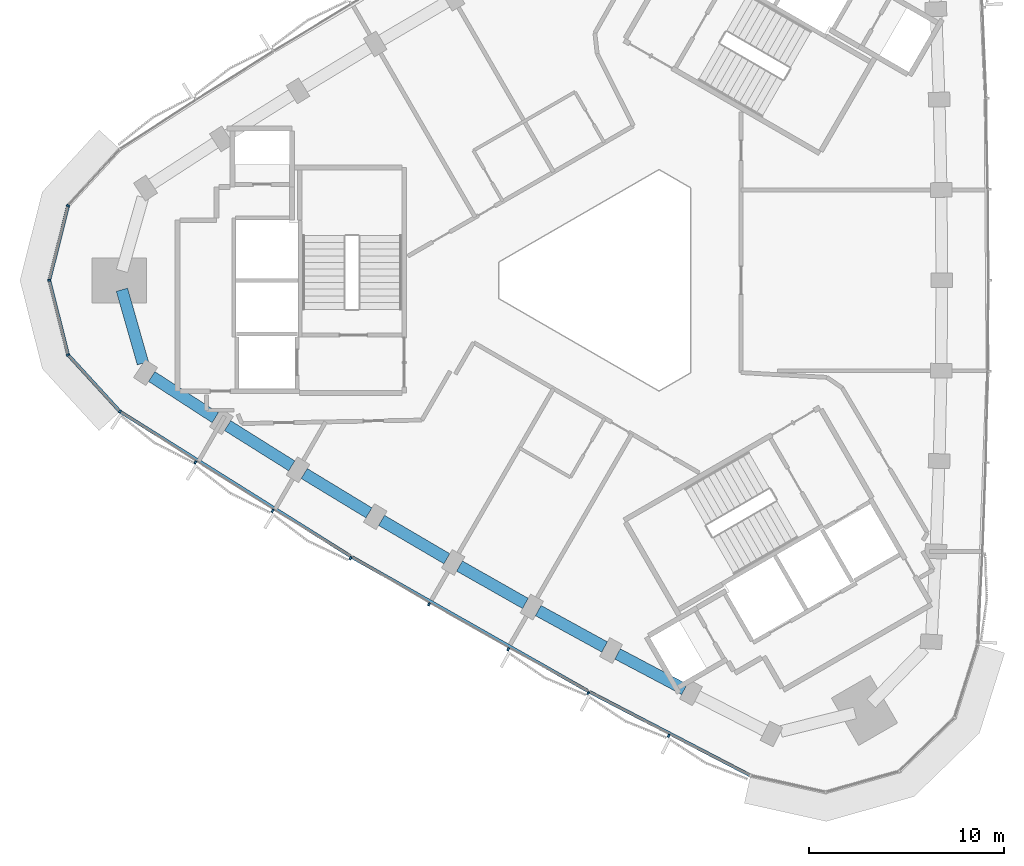
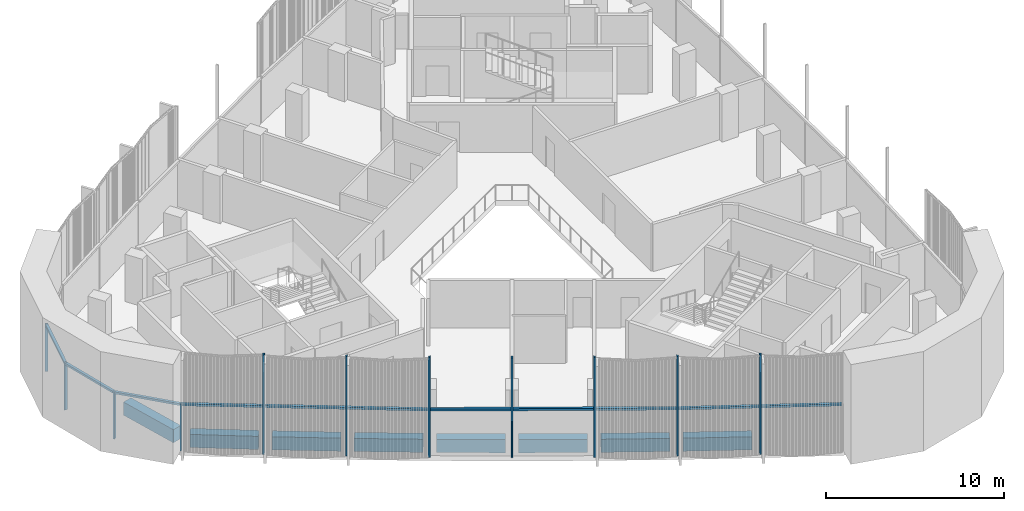
# One storey, part 2 of 16: 17 members, 8 beams, 2 elements without a shape of their own.
"""IFC4 building model written with IfcOpenShell, lengths in metres."""

from ifc_helpers import new_model, si_unit, direction, frame, origin, origin_2d, place, context, subcontext, project, spatial, rectangle, extrude, material, material_profile, profile_set, type_object, element, aggregate, save


model = new_model("IFC4")

# Units and contexts
model_context = context("Model", 3, precision=1e-05, world=origin(), true_north=direction((0.0, 1.0)))
body_context = subcontext(model_context, "Body", "Model", "MODEL_VIEW")
ifc_project = project(units=[si_unit("LENGTHUNIT", "METRE"), si_unit("AREAUNIT", "SQUARE_METRE"), si_unit("VOLUMEUNIT", "CUBIC_METRE"), si_unit("PLANEANGLEUNIT", "RADIAN"), si_unit("MASSUNIT", "GRAM", prefix="KILO")], contexts=[model_context])

# Site, building, storey
site_placement = place(None, origin())
site = spatial("IfcSite", under=ifc_project, at=site_placement, CompositionType="ELEMENT")
building_placement = place(site_placement, origin())
building = spatial("IfcBuilding", under=site, at=building_placement, Name="Tamra Quay Hotel Tower", CompositionType="ELEMENT")
storey_placement = place(building_placement, frame((0.0, 0.0, 243.0)))
storey = spatial("IfcBuildingStorey", under=building, at=storey_placement, Name="L61", CompositionType="ELEMENT", Elevation=243.0)

# Curtain wall, members
ifc_material_1 = material(Name="Aluminium 6063 anodised dark grey", Category="aluminium")
curtain_wall_type_1 = type_object("IfcCurtainWallType", Name="CW2 CURTAIN WALL", PredefinedType="NOTDEFINED", material=ifc_material_1)
curtain_wall_1_placement = place(storey_placement, origin())
curtain_wall_1 = element("IfcCurtainWall", 1, at=curtain_wall_1_placement, inside=storey, type_object=curtain_wall_type_1, Name="CW2 north-west face L61", PredefinedType="NOTDEFINED")
ifc_material_profile_1 = material_profile(ifc_material_1, rectangle(XDim=0.169921875, YDim=0.10009765625, at=origin_2d()), Name="MULLION 100X170")
ifc_profile_set_1 = profile_set([ifc_material_profile_1], Name="Aluminium 6063 anodised dark grey")
member_type_1 = type_object("IfcMemberType", Name="MULLION CW2 Z5", PredefinedType="MULLION", material=ifc_profile_set_1)
member_1_placement = place(storey_placement, frame((-28.0439453125, 3.812744140625, 0.0), z_axis=(0.0, 0.0, 1.0), x_axis=(-0.880266804781, 0.474479032624, 0.0)))
member_1 = element("IfcMember", 2, at=member_1_placement, type_object=member_type_1, Name="CW2 mullion L61.NW.10", PredefinedType="MULLION", context=body_context, shape_type="SweptSolid", body=[
    extrude(rectangle(XDim=0.169921875, YDim=0.10009765625, at=origin_2d()), origin(), (0.0, 0.0, 1.0), 3.25),
])
member_2_placement = place(storey_placement, frame((-29.006103515625, 0.0, 0.0), z_axis=(0.0, 0.0, 1.0), x_axis=(-1.0, 0.0, 0.0)))
member_2 = element("IfcMember", 3, at=member_2_placement, type_object=member_type_1, Name="CW2 mullion L61.NW.11", PredefinedType="MULLION", context=body_context, shape_type="SweptSolid", body=[
    extrude(rectangle(XDim=0.169921875, YDim=0.10009765625, at=origin_2d()), origin(), (0.0, 0.0, 1.0), 3.25),
])
member_3_placement = place(storey_placement, frame((-28.0439453125, -3.812744140625, 0.0), z_axis=(0.0, 0.0, 1.0), x_axis=(-0.880266804781, -0.474479032624, 0.0)))
member_3 = element("IfcMember", 4, at=member_3_placement, type_object=member_type_1, Name="CW2 mullion L61.NW.12", PredefinedType="MULLION", context=body_context, shape_type="SweptSolid", body=[
    extrude(rectangle(XDim=0.169921875, YDim=0.10009765625, at=origin_2d()), origin(), (0.0, 0.0, 1.0), 3.25),
])

curtain_wall_type_2 = type_object("IfcCurtainWallType", Name="CW3 CURTAIN WALL", PredefinedType="NOTDEFINED", material=ifc_material_1)
curtain_wall_2_placement = place(storey_placement, origin())
curtain_wall_2 = element("IfcCurtainWall", 5, at=curtain_wall_2_placement, inside=storey, type_object=curtain_wall_type_2, Name="CW3 south-west face L61", PredefinedType="NOTDEFINED")
ifc_material_profile_2 = material_profile(ifc_material_1, rectangle(XDim=0.169921875, YDim=0.10009765625, at=origin_2d()), Name="MULLION 100X170")
ifc_profile_set_2 = profile_set([ifc_material_profile_2], Name="Aluminium 6063 anodised dark grey")
member_type_2 = type_object("IfcMemberType", Name="MULLION CW3 Z5", PredefinedType="MULLION", material=ifc_profile_set_2)
member_4_placement = place(storey_placement, frame((-25.387939453125, -6.712646484375, 0.0), z_axis=(0.0, 0.0, 1.0), x_axis=(-0.64584626761, -0.763467483665, 0.0)))
member_4 = element("IfcMember", 6, at=member_4_placement, type_object=member_type_2, Name="CW3 mullion L61.SW.1", PredefinedType="MULLION", context=body_context, shape_type="SweptSolid", body=[
    extrude(rectangle(XDim=0.169921875, YDim=0.10009765625, at=origin_2d()), origin(), (0.0, 0.0, 1.0), 3.25),
])
member_5_placement = place(storey_placement, frame((-21.523193359375, -9.318603515625, 0.0), z_axis=(0.0, 0.0, 1.0), x_axis=(-0.537683846902, -0.84314653577, 0.0)))
member_5 = element("IfcMember", 7, at=member_5_placement, type_object=member_type_2, Name="CW3 mullion L61.SW.2", PredefinedType="MULLION", context=body_context, shape_type="SweptSolid", body=[
    extrude(rectangle(XDim=0.169921875, YDim=0.10009765625, at=origin_2d()), origin(), (0.0, 0.0, 1.0), 6.85009765625),
])
member_6_placement = place(storey_placement, frame((-17.573974609375, -11.79638671875, 0.0), z_axis=(0.0, 0.0, 1.0), x_axis=(-0.525248544196, -0.850948862635, 0.0)))
member_6 = element("IfcMember", 8, at=member_6_placement, type_object=member_type_2, Name="CW3 mullion L61.SW.3", PredefinedType="MULLION", context=body_context, shape_type="SweptSolid", body=[
    extrude(rectangle(XDim=0.169921875, YDim=0.10009765625, at=origin_2d()), origin(), (0.0, 0.0, 1.0), 6.85009765625),
])
member_7_placement = place(storey_placement, frame((-13.59033203125, -14.215087890625, 0.0), z_axis=(0.0, 0.0, 1.0), x_axis=(-0.512687551289, -0.858575258643, 0.0)))
member_7 = element("IfcMember", 9, at=member_7_placement, type_object=member_type_2, Name="CW3 mullion L61.SW.4", PredefinedType="MULLION", context=body_context, shape_type="SweptSolid", body=[
    extrude(rectangle(XDim=0.169921875, YDim=0.10009765625, at=origin_2d()), origin(), (0.0, 0.0, 1.0), 6.85009765625),
])
member_8_placement = place(storey_placement, frame((-9.570068359375, -16.575927734375, 0.0), z_axis=(0.0, 0.0, 1.0), x_axis=(-0.5, -0.866025403784, 0.0)))
member_8 = element("IfcMember", 10, at=member_8_placement, type_object=member_type_2, Name="CW3 mullion L61.SW.5", PredefinedType="MULLION", context=body_context, shape_type="SweptSolid", body=[
    extrude(rectangle(XDim=0.169921875, YDim=0.10009765625, at=origin_2d()), origin(), (0.0, 0.0, 1.0), 6.85009765625),
])
member_9_placement = place(storey_placement, frame((-5.515625, -18.877197265625, 0.0), z_axis=(0.0, 0.0, 1.0), x_axis=(-0.487204209401, -0.873288072942, 0.0)))
member_9 = element("IfcMember", 11, at=member_9_placement, type_object=member_type_2, Name="CW3 mullion L61.SW.6", PredefinedType="MULLION", context=body_context, shape_type="SweptSolid", body=[
    extrude(rectangle(XDim=0.169921875, YDim=0.10009765625, at=origin_2d()), origin(), (0.0, 0.0, 1.0), 6.85009765625),
])
member_10_placement = place(storey_placement, frame((-1.428955078125, -21.11767578125, 0.0), z_axis=(0.0, 0.0, 1.0), x_axis=(-0.474319060265, -0.880353013892, 0.0)))
member_10 = element("IfcMember", 12, at=member_10_placement, type_object=member_type_2, Name="CW3 mullion L61.SW.7", PredefinedType="MULLION", context=body_context, shape_type="SweptSolid", body=[
    extrude(rectangle(XDim=0.169921875, YDim=0.10009765625, at=origin_2d()), origin(), (0.0, 0.0, 1.0), 6.85009765625),
])
member_11_placement = place(storey_placement, frame((2.69140625, -23.298828125, 0.0), z_axis=(0.0, 0.0, 1.0), x_axis=(-0.461344395639, -0.887221138507, 0.0)))
member_11 = element("IfcMember", 13, at=member_11_placement, type_object=member_type_2, Name="CW3 mullion L61.SW.8", PredefinedType="MULLION", context=body_context, shape_type="SweptSolid", body=[
    extrude(rectangle(XDim=0.169921875, YDim=0.10009765625, at=origin_2d()), origin(), (0.0, 0.0, 1.0), 6.85009765625),
])

# Beams
ifc_material_2 = material(Name="Concrete M60", Category="concrete")
ifc_material_profile_3 = material_profile(ifc_material_2, rectangle(XDim=0.60009765625, YDim=0.89990234375, at=origin_2d()), Name="SPANDREL BEAM RC 600x900")
ifc_profile_set_3 = profile_set([ifc_material_profile_3], Name="Concrete M60")
beam_type = type_object("IfcBeamType", Name="SPANDREL BEAM RC 600x900", PredefinedType="SPANDREL", material=ifc_profile_set_3)
beam_1_placement = place(storey_placement, frame((-25.28369140625, -0.48046875, -0.800048828125), z_axis=(0.273913429616, -0.961754351732, 0.0), x_axis=(0.961754351732, 0.273913429616, 0.0)))
element("IfcBeam", 14, at=beam_1_placement, inside=storey, type_object=beam_type, Name="BM-SP5-019-L61", PredefinedType="SPANDREL", context=body_context, shape_type="SweptSolid", body=[
    extrude(rectangle(XDim=0.60009765625, YDim=0.89990234375, at=origin_2d()), origin(), (0.0, 0.0, 1.0), 3.912841796875),
])
beam_2_placement = place(storey_placement, frame((-23.76171875, -4.923583984375, -0.800048828125), z_axis=(0.839181205466, -0.543851914029, 0.0), x_axis=(0.543851914029, 0.839181205466, 0.0)))
element("IfcBeam", 15, at=beam_2_placement, inside=storey, type_object=beam_type, Name="BM-SP5-020-L61", PredefinedType="SPANDREL", context=body_context, shape_type="SweptSolid", body=[
    extrude(rectangle(XDim=0.60009765625, YDim=0.89990234375, at=origin_2d()), origin(), (0.0, 0.0, 1.0), 3.87548828125),
])
beam_3_placement = place(storey_placement, frame((-19.877197265625, -7.4345703125, -0.800048828125), z_axis=(0.847066119134, -0.53148752555, 0.0), x_axis=(0.53148752555, 0.847066119134, 0.0)))
element("IfcBeam", 16, at=beam_3_placement, inside=storey, type_object=beam_type, Name="BM-SP5-021-L61", PredefinedType="SPANDREL", context=body_context, shape_type="SweptSolid", body=[
    extrude(rectangle(XDim=0.60009765625, YDim=0.89990234375, at=origin_2d()), origin(), (0.0, 0.0, 1.0), 3.875),
])
beam_4_placement = place(storey_placement, frame((-15.95654296875, -9.887939453125, -0.800048828125), z_axis=(0.854785519234, -0.518981421737, 0.0), x_axis=(0.518981421737, 0.854785519234, 0.0)))
element("IfcBeam", 17, at=beam_4_placement, inside=storey, type_object=beam_type, Name="BM-SP5-022-L61", PredefinedType="SPANDREL", context=body_context, shape_type="SweptSolid", body=[
    extrude(rectangle(XDim=0.60009765625, YDim=0.89990234375, at=origin_2d()), origin(), (0.0, 0.0, 1.0), 3.875732421875),
])
beam_5_placement = place(storey_placement, frame((-11.999755859375, -12.283935546875, -0.800048828125), z_axis=(0.862324287816, -0.506356418585, 0.0), x_axis=(0.506356418585, 0.862324287816, 0.0)))
element("IfcBeam", 18, at=beam_5_placement, inside=storey, type_object=beam_type, Name="BM-SP5-023-L61", PredefinedType="SPANDREL", context=body_context, shape_type="SweptSolid", body=[
    extrude(rectangle(XDim=0.60009765625, YDim=0.89990234375, at=origin_2d()), origin(), (0.0, 0.0, 1.0), 3.875),
])
beam_6_placement = place(storey_placement, frame((-8.008544921875, -14.62109375, -0.800048828125), z_axis=(0.86967787455, -0.493619686113, 0.0), x_axis=(0.493619686113, 0.86967787455, 0.0)))
element("IfcBeam", 19, at=beam_6_placement, inside=storey, type_object=beam_type, Name="BM-SP5-024-L61", PredefinedType="SPANDREL", context=body_context, shape_type="SweptSolid", body=[
    extrude(rectangle(XDim=0.60009765625, YDim=0.89990234375, at=origin_2d()), origin(), (0.0, 0.0, 1.0), 3.875244140625),
])
beam_7_placement = place(storey_placement, frame((-3.9833984375, -16.8994140625, -0.800048828125), z_axis=(0.876838966376, -0.480784179279, 0.0), x_axis=(0.480784179279, 0.876838966376, 0.0)))
element("IfcBeam", 20, at=beam_7_placement, inside=storey, type_object=beam_type, Name="BM-SP5-025-L61", PredefinedType="SPANDREL", context=body_context, shape_type="SweptSolid", body=[
    extrude(rectangle(XDim=0.60009765625, YDim=0.89990234375, at=origin_2d()), origin(), (0.0, 0.0, 1.0), 3.87548828125),
])
beam_8_placement = place(storey_placement, frame((0.0751953125, -19.118408203125, -0.800048828125), z_axis=(0.883803240878, -0.467858772937, 0.0), x_axis=(0.467858772937, 0.883803240878, 0.0)))
element("IfcBeam", 21, at=beam_8_placement, inside=storey, type_object=beam_type, Name="BM-SP5-026-L61", PredefinedType="SPANDREL", context=body_context, shape_type="SweptSolid", body=[
    extrude(rectangle(XDim=0.60009765625, YDim=0.89990234375, at=origin_2d()), origin(), (0.0, 0.0, 1.0), 3.875),
])

# Member
ifc_material_profile_4 = material_profile(ifc_material_1, rectangle(XDim=0.169921875, YDim=0.139892578125, at=origin_2d()), Name="TRANSOM 170X140")
ifc_profile_set_4 = profile_set([ifc_material_profile_4], Name="Aluminium 6063 anodised dark grey")
member_type_3 = type_object("IfcMemberType", Name="TRANSOM CW2 Z5", PredefinedType="USERDEFINED", material=ifc_profile_set_4)
member_12_placement = place(storey_placement, frame((-28.05615234375, 3.764404296875, 3.179931640625), z_axis=(-0.244693523111, -0.969600474292, 0.0), x_axis=(0.969600474292, -0.244693523111, 0.0)))
member_12 = element("IfcMember", 22, at=member_12_placement, type_object=member_type_3, Name="CW2 transom L61.NW.10", ObjectType="TRANSOM", PredefinedType="USERDEFINED", context=body_context, shape_type="SweptSolid", body=[
    extrude(rectangle(XDim=0.169921875, YDim=0.139892578125, at=origin_2d()), origin(), (0.0, 0.0, 1.0), 3.832275390625),
])

member_13_placement = place(storey_placement, frame((-28.993896484375, -0.048583984375, 3.179931640625), z_axis=(0.244693523111, -0.969600474292, 0.0), x_axis=(0.969600474292, 0.244693523111, 0.0)))
member_13 = element("IfcMember", 23, at=member_13_placement, type_object=member_type_3, Name="CW2 transom L61.NW.11", ObjectType="TRANSOM", PredefinedType="USERDEFINED", context=body_context, shape_type="SweptSolid", body=[
    extrude(rectangle(XDim=0.169921875, YDim=0.139892578125, at=origin_2d()), origin(), (0.0, 0.0, 1.0), 3.832275390625),
])

member_14_placement = place(storey_placement, frame((-28.01025390625, -3.849609375, 3.179931640625), z_axis=(0.675436113267, -0.737418508647, 0.0), x_axis=(0.737418508647, 0.675436113267, 0.0)))
member_14 = element("IfcMember", 24, at=member_14_placement, type_object=member_type_3, Name="CW2 transom L61.NW.12", ObjectType="TRANSOM", PredefinedType="USERDEFINED", context=body_context, shape_type="SweptSolid", body=[
    extrude(rectangle(XDim=0.169921875, YDim=0.139892578125, at=origin_2d()), origin(), (0.0, 0.0, 1.0), 3.83251953125),
])

aggregate(curtain_wall_1, [member_1, member_12, member_2, member_13, member_3, member_14])

ifc_material_profile_5 = material_profile(ifc_material_1, rectangle(XDim=0.169921875, YDim=0.139892578125, at=origin_2d()), Name="TRANSOM 170X140")
ifc_profile_set_5 = profile_set([ifc_material_profile_5], Name="Aluminium 6063 anodised dark grey")
member_type_4 = type_object("IfcMemberType", Name="TRANSOM CW3 Z5", PredefinedType="USERDEFINED", material=ifc_profile_set_5)
member_15_placement = place(storey_placement, frame((-25.345947265625, -6.73974609375, 3.179931640625), z_axis=(0.847071037392, -0.531479686923, 0.0), x_axis=(0.531479686923, 0.847071037392, 0.0)))
member_15 = element("IfcMember", 25, at=member_15_placement, type_object=member_type_4, Name="CW3 transom L61.SW.1", ObjectType="TRANSOM", PredefinedType="USERDEFINED", context=body_context, shape_type="SweptSolid", body=[
    extrude(rectangle(XDim=0.169921875, YDim=0.139892578125, at=origin_2d()), origin(), (0.0, 0.0, 1.0), 13.879150390625),
])

member_16_placement = place(storey_placement, frame((-13.503662109375, -14.16748046875, 3.179931640625), z_axis=(0.869680201003, -0.493615587257, 0.0), x_axis=(0.493615587257, 0.869680201003, 0.0)))
member_16 = element("IfcMember", 26, at=member_16_placement, type_object=member_type_4, Name="CW3 transom L61.SW.4", ObjectType="TRANSOM", PredefinedType="USERDEFINED", context=body_context, shape_type="SweptSolid", body=[
    extrude(rectangle(XDim=0.169921875, YDim=0.139892578125, at=origin_2d()), origin(), (0.0, 0.0, 1.0), 13.8798828125),
])

member_17_placement = place(storey_placement, frame((-1.344482421875, -21.06640625, 3.179931640625), z_axis=(0.887229373017, -0.461328559332, 0.0), x_axis=(0.461328559332, 0.887229373017, 0.0)))
member_17 = element("IfcMember", 27, at=member_17_placement, type_object=member_type_4, Name="CW3 transom L61.SW.7", ObjectType="TRANSOM", PredefinedType="USERDEFINED", context=body_context, shape_type="SweptSolid", body=[
    extrude(rectangle(XDim=0.169921875, YDim=0.139892578125, at=origin_2d()), origin(), (0.0, 0.0, 1.0), 9.220458984375),
])

aggregate(curtain_wall_2, [member_4, member_15, member_5, member_6, member_7, member_16, member_8, member_9, member_10, member_17, member_11])

save(model, "model.ifc")
